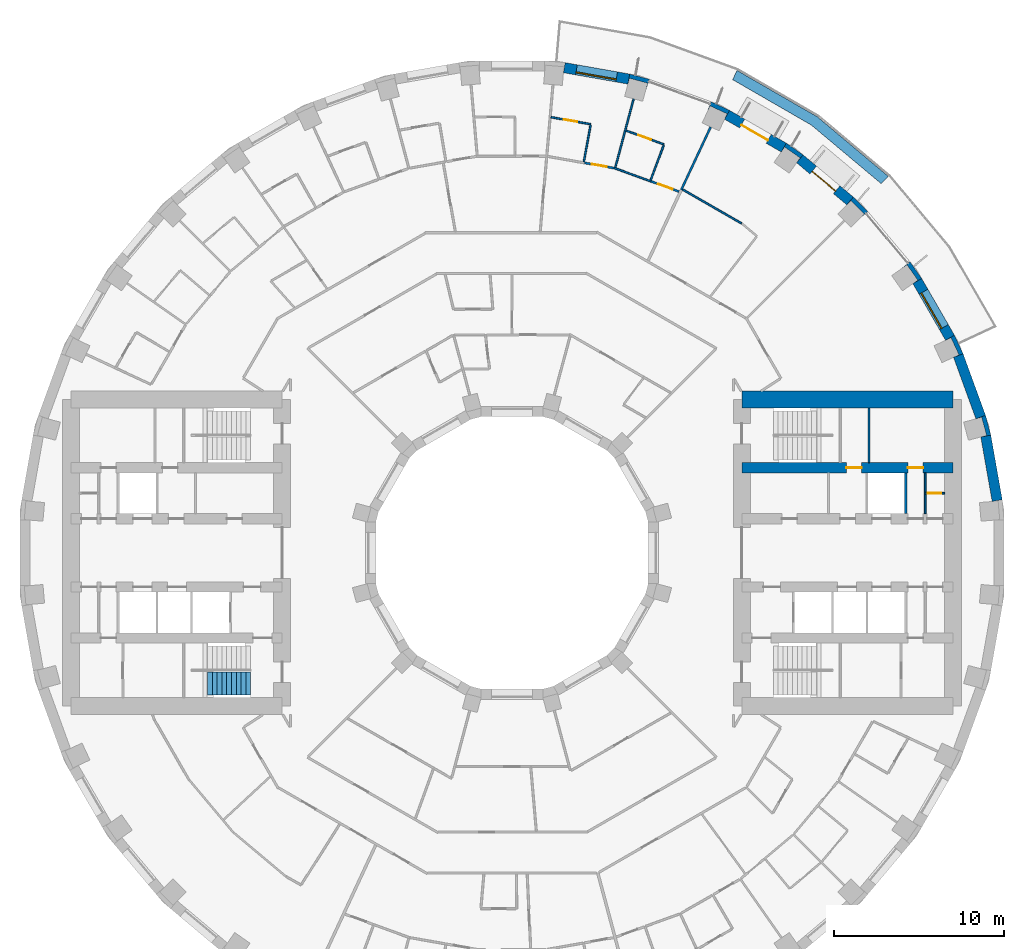
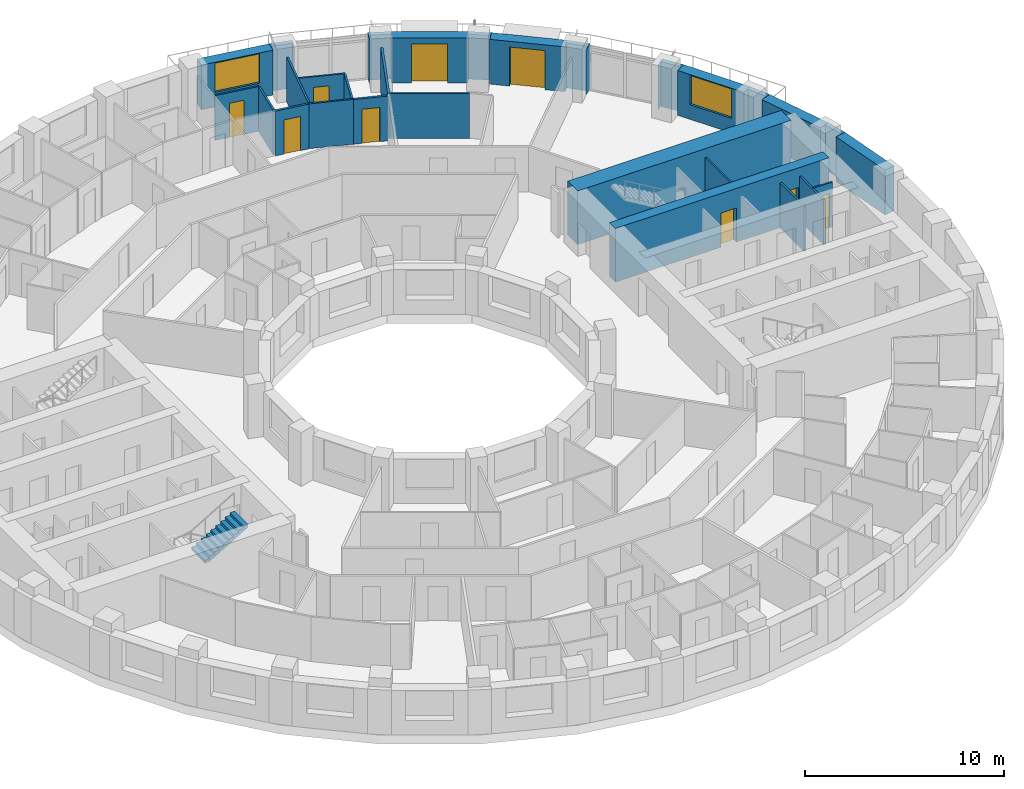
# One storey, part 13 of 15: 30 walls, 9 doors, 2 windows, 1 stair flight, 11 openings, 1 element without a shape of its own.
"""IFC4 building model written with IfcOpenShell, lengths in metres."""

from ifc_helpers import new_model, si_unit, direction, frame, frame_2d, origin, place, context, subcontext, project, spatial, polyline, rectangle, outline, extrude, material, layer, layer_set, type_object, element, fill, aggregate, save


model = new_model("IFC4")

# Units and contexts
model_context = context("Model", 3, precision=1e-05, world=origin(), true_north=direction((0.0, 1.0)))
body_context = subcontext(model_context, "Body", "Model", "MODEL_VIEW")
ifc_project = project(units=[si_unit("LENGTHUNIT", "METRE"), si_unit("AREAUNIT", "SQUARE_METRE"), si_unit("VOLUMEUNIT", "CUBIC_METRE"), si_unit("PLANEANGLEUNIT", "RADIAN"), si_unit("MASSUNIT", "GRAM", prefix="KILO")], contexts=[model_context])

# Site, building, storey
site_placement = place(None, origin())
site = spatial("IfcSite", under=ifc_project, at=site_placement, CompositionType="ELEMENT")
building_placement = place(site_placement, origin())
building = spatial("IfcBuilding", under=site, at=building_placement, Name="Saqina Gate Tower", CompositionType="ELEMENT")
storey_placement = place(building_placement, frame((0.0, 0.0, 65.89990234375)))
storey = spatial("IfcBuildingStorey", under=building, at=storey_placement, Name="L18", CompositionType="ELEMENT", Elevation=65.89990234375)

# Walls
ifc_material_1 = material(Name="Brick masonry (red)", Category="masonry")
wall_type_1 = type_object("IfcWallType", Name="BRICK PIER COPING RED", PredefinedType="SOLIDWALL", material=ifc_material_1)
wall_1_placement = place(storey_placement, origin())
element("IfcWall", 1, at=wall_1_placement, inside=storey, type_object=wall_type_1, Name="Pier cap L18 column 2", PredefinedType="SOLIDWALL", context=body_context, shape_type="SweptSolid", body=[
    extrude(outline(polyline([(28.11669921875, 6.910400390625), (27.80517578125, 8.073974609375), (27.2412109375, 7.86865234375), (27.57958984375, 7.95947265625), (27.864501953125, 6.896728515625), (27.52587890625, 6.80615234375), (28.11669921875, 6.910400390625)])), origin(), (0.0, 0.0, 1.0), 2.75),
])
wall_2_placement = place(storey_placement, origin())
element("IfcWall", 2, at=wall_2_placement, inside=storey, type_object=wall_type_1, Name="Pier cap L18 column 3", PredefinedType="SOLIDWALL", context=body_context, shape_type="SweptSolid", body=[
    extrude(outline(polyline([(25.980712890625, 12.779541015625), (25.4609375, 12.4794921875), (25.778564453125, 12.627685546875), (26.243408203125, 11.630615234375), (25.92578125, 11.482666015625), (26.48974609375, 11.687744140625), (25.980712890625, 12.779541015625)])), origin(), (0.0, 0.0, 1.0), 2.75),
])
wall_3_placement = place(storey_placement, origin())
element("IfcWall", 3, at=wall_3_placement, inside=storey, type_object=wall_type_1, Name="Pier cap L18 column 4", PredefinedType="SOLIDWALL", context=body_context, shape_type="SweptSolid", body=[
    extrude(outline(polyline([(24.0576171875, 16.110107421875), (23.36669921875, 17.096923828125), (22.9072265625, 16.711181640625), (23.194091796875, 16.912109375), (23.8251953125, 16.010986328125), (23.5380859375, 15.81005859375), (24.0576171875, 16.110107421875)])), origin(), (0.0, 0.0, 1.0), 2.75),
])
wall_4_placement = place(storey_placement, origin())
element("IfcWall", 4, at=wall_4_placement, inside=storey, type_object=wall_type_1, Name="Pier cap L18 column 5", PredefinedType="SOLIDWALL", context=body_context, shape_type="SweptSolid", body=[
    extrude(outline(polyline([(20.04296875, 20.894775390625), (19.6572265625, 20.43505859375), (19.905029296875, 20.682861328125), (20.682861328125, 19.905029296875), (20.43505859375, 19.6572265625), (20.894775390625, 20.04296875), (20.04296875, 20.894775390625)])), origin(), (0.0, 0.0, 1.0), 2.75),
])
wall_5_placement = place(storey_placement, origin())
element("IfcWall", 5, at=wall_5_placement, inside=storey, type_object=wall_type_1, Name="Pier cap L18 column 6", PredefinedType="SOLIDWALL", context=body_context, shape_type="SweptSolid", body=[
    extrude(outline(polyline([(17.096923828125, 23.36669921875), (16.110107421875, 24.0576171875), (15.81005859375, 23.5380859375), (16.010986328125, 23.8251953125), (16.912109375, 23.194091796875), (16.711181640625, 22.9072265625), (17.096923828125, 23.36669921875)])), origin(), (0.0, 0.0, 1.0), 2.75),
])
wall_6_placement = place(storey_placement, origin())
element("IfcWall", 6, at=wall_6_placement, inside=storey, type_object=wall_type_1, Name="Pier cap L18 column 7", PredefinedType="SOLIDWALL", context=body_context, shape_type="SweptSolid", body=[
    extrude(outline(polyline([(11.687744140625, 26.48974609375), (11.482666015625, 25.92578125), (11.630615234375, 26.243408203125), (12.627685546875, 25.778564453125), (12.4794921875, 25.4609375), (12.779541015625, 25.980712890625), (11.687744140625, 26.48974609375)])), origin(), (0.0, 0.0, 1.0), 2.75),
])
wall_7_placement = place(storey_placement, origin())
element("IfcWall", 7, at=wall_7_placement, inside=storey, type_object=wall_type_1, Name="Pier cap L18 column 8", PredefinedType="SOLIDWALL", context=body_context, shape_type="SweptSolid", body=[
    extrude(outline(polyline([(6.910400390625, 28.11669921875), (6.80615234375, 27.52587890625), (6.896728515625, 27.864501953125), (7.95947265625, 27.57958984375), (7.86865234375, 27.2412109375), (8.073974609375, 27.80517578125), (6.910400390625, 28.11669921875)])), origin(), (0.0, 0.0, 1.0), 2.75),
])
ifc_material_2 = material(Name="Gypsum board on steel studs", Category="steel")
ifc_layer_1 = layer(ifc_material_2, 0.10009765625)
ifc_layer_set_1 = layer_set([ifc_layer_1], Name="CORE PARTITION")
wall_type_2 = type_object("IfcWallType", Name="CORE PARTITION", PredefinedType="PARTITIONING", material=ifc_layer_set_1)
wall_8_placement = place(storey_placement, frame((24.260009765625, 2.300048828125, 0.0), z_axis=(0.0, 0.0, 1.0), x_axis=(0.0, 1.0, 0.0)))
element("IfcWall", 8, at=wall_8_placement, inside=storey, type_object=wall_type_2, Name="L18-CP-E04", PredefinedType="PARTITIONING", context=body_context, shape_type="SweptSolid", body=[
    extrude(rectangle(XDim=2.39990234375, YDim=0.10009765625, at=frame_2d((1.199951171875, 0.0))), origin(), (0.0, 0.0, 1.0), 2.75),
])

# Wall, opening, door
wall_9_placement = place(storey_placement, frame((24.260009765625, 3.5, 0.0), z_axis=(0.0, 0.0, 1.0), x_axis=(1.0, 0.0, 0.0)))
wall_9 = element("IfcWall", 9, at=wall_9_placement, inside=storey, type_object=wall_type_2, Name="L18-CP-E10", PredefinedType="PARTITIONING", context=body_context, shape_type="SweptSolid", body=[
    extrude(rectangle(XDim=1.139892578125, YDim=0.10009765625, at=frame_2d((0.56982421875, 0.0))), origin(), (0.0, 0.0, 1.0), 2.75),
])
opening_1_placement = place(wall_9_placement, frame((0.14990234375, 0.0, 0.0)))
opening_1 = element("IfcOpeningElement", 10, at=opening_1_placement, cuts=wall_9, Name="Opening G05-D97", PredefinedType="OPENING", context=body_context, shape_type="SweptSolid", body=[
    extrude(rectangle(XDim=0.800048828125, YDim=2.10009765625, at=frame_2d((0.39990234375, 1.050048828125))), frame((0.0, 0.06201171875, 0.0), z_axis=(0.0, -1.0, 0.0), x_axis=(1.0, 0.0, 0.0)), (0.0, 0.0, 1.0), 0.1240234375),
])
ifc_material_3 = material(Name="Steel-framed fire door leaf, EI 60", Category="steel")
door_type_1 = type_object("IfcDoorType", Name="SERVICE ROOM DOOR 800", OperationType="SINGLE_SWING_LEFT", PredefinedType="DOOR", material=ifc_material_3)
door_1_placement = place(opening_1_placement, origin())
door_1 = element("IfcDoor", 11, at=door_1_placement, inside=storey, type_object=door_type_1, Name="L18-CD-E08", OperationType="SINGLE_SWING_RIGHT", OverallHeight=2.10009765625, OverallWidth=0.800048828125, PredefinedType="DOOR", context=body_context, shape_type="SweptSolid", body=[
    extrude(rectangle(XDim=0.800048828125, YDim=2.10009765625, at=frame_2d((0.39990234375, 1.050048828125))), frame((0.0, 0.02490234375, 0.0), z_axis=(0.0, -1.0, 0.0), x_axis=(1.0, 0.0, 0.0)), (0.0, 0.0, 1.0), 0.050048828125),
])
fill(opening_1, door_1)

# Wall
wall_10_placement = place(storey_placement, frame((20.961669921875, 5.300048828125, 0.0), z_axis=(0.0, 0.0, 1.0), x_axis=(0.0, 1.0, 0.0)))
element("IfcWall", 12, at=wall_10_placement, inside=storey, type_object=wall_type_2, Name="L18-CP-E12", PredefinedType="PARTITIONING", context=body_context, shape_type="SweptSolid", body=[
    extrude(rectangle(XDim=3.199951171875, YDim=0.10009765625, at=frame_2d((1.60009765625, 0.0))), origin(), (0.0, 0.0, 1.0), 2.75),
])

# Wall, opening, window
ifc_material_4 = material(Name="Brick masonry (red)", Category="masonry")
ifc_layer_2 = layer(ifc_material_4, 0.60009765625)
ifc_layer_set_2 = layer_set([ifc_layer_2], Name="FW-BRICK-RED")
wall_type_3 = type_object("IfcWallType", Name="FW-BRICK-RED", PredefinedType="SOLIDWALL", material=ifc_layer_set_2)
wall_11_placement = place(storey_placement, frame((25.720703125, 12.629638671875, 0.0), z_axis=(0.0, 0.0, 1.0), x_axis=(-0.499989888488, 0.86603124159, 0.0)))
wall_11 = element("IfcWall", 13, at=wall_11_placement, inside=storey, type_object=wall_type_3, Name="Facade wall L18 facet 3", PredefinedType="SOLIDWALL", context=body_context, shape_type="SweptSolid", body=[
    extrude(rectangle(XDim=3.845703125, YDim=0.60009765625, at=frame_2d((1.9228515625, 0.0))), origin(), (0.0, 0.0, 1.0), 2.75),
])
opening_2_placement = place(wall_11_placement, frame((0.722900390625, 0.0, 0.89990234375)))
opening_2 = element("IfcOpeningElement", 14, at=opening_2_placement, cuts=wall_11, Name="Opening G05-W01", PredefinedType="OPENING", context=body_context, shape_type="SweptSolid", body=[
    extrude(rectangle(XDim=2.39990234375, YDim=1.800048828125, at=frame_2d((1.199951171875, 0.89990234375))), frame((0.0, 0.31201171875, 0.0), z_axis=(0.0, -1.0, 0.0), x_axis=(1.0, 0.0, 0.0)), (0.0, 0.0, 1.0), 0.6240234375),
])
ifc_material_5 = material(Name="Aluminium glazing", Category="aluminium")
window_type = type_object("IfcWindowType", Name="WN-A", PartitioningType="SINGLE_PANEL", PredefinedType="WINDOW", material=ifc_material_5)
window_1_placement = place(opening_2_placement, origin())
window_1 = element("IfcWindow", 15, at=window_1_placement, inside=storey, type_object=window_type, Name="Window L18 facet 3", OverallHeight=1.800048828125, OverallWidth=2.39990234375, PartitioningType="SINGLE_PANEL", PredefinedType="WINDOW", context=body_context, shape_type="SweptSolid", body=[
    extrude(rectangle(XDim=2.39990234375, YDim=1.800048828125, at=frame_2d((1.199951171875, 0.89990234375))), frame((0.0, 0.179931640625, 0.0), z_axis=(0.0, -1.0, 0.0), x_axis=(1.0, 0.0, 0.0)), (0.0, 0.0, 1.0), 0.06005859375),
])
fill(opening_2, window_1)

# Wall, opening, door
wall_12_placement = place(storey_placement, frame((19.85009765625, 20.664794921875, 0.0), z_axis=(0.0, 0.0, 1.0), x_axis=(-0.766026164483, 0.642809392687, 0.0)))
wall_12 = element("IfcWall", 16, at=wall_12_placement, inside=storey, type_object=wall_type_3, Name="Facade wall L18 facet 5", PredefinedType="SOLIDWALL", context=body_context, shape_type="SweptSolid", body=[
    extrude(rectangle(XDim=3.845947265625, YDim=0.60009765625, at=frame_2d((1.9228515625, 0.0))), origin(), (0.0, 0.0, 1.0), 2.75),
])
opening_3_placement = place(wall_12_placement, frame((1.02294921875, 0.0, 0.0)))
opening_3 = element("IfcOpeningElement", 17, at=opening_3_placement, cuts=wall_12, Name="Opening G05-D80", PredefinedType="OPENING", context=body_context, shape_type="SweptSolid", body=[
    extrude(rectangle(XDim=1.800048828125, YDim=2.39990234375, at=frame_2d((0.89990234375, 1.199951171875))), frame((0.0, 0.31201171875, 0.0), z_axis=(0.0, -1.0, 0.0), x_axis=(1.0, 0.0, 0.0)), (0.0, 0.0, 1.0), 0.6240234375),
])
ifc_material_6 = material(Name="Aluminium glazing", Category="aluminium")
door_type_2 = type_object("IfcDoorType", Name="GD-A", OperationType="DOUBLE_DOOR_SINGLE_SWING", PredefinedType="DOOR", material=ifc_material_6)
door_2_placement = place(opening_3_placement, frame((1.800048828125, 0.0, 0.0), z_axis=(0.0, 0.0, 1.0), x_axis=(-1.0, 0.0, 0.0)))
door_2 = element("IfcDoor", 18, at=door_2_placement, inside=storey, type_object=door_type_2, Name="Terrace door L18 facet 5", OperationType="DOUBLE_DOOR_SINGLE_SWING", OverallHeight=2.39990234375, OverallWidth=1.800048828125, PredefinedType="DOOR", context=body_context, shape_type="SweptSolid", body=[
    extrude(rectangle(XDim=1.800048828125, YDim=2.39990234375, at=frame_2d((0.89990234375, 1.199951171875))), frame((0.0, -0.0751953125, 0.0), z_axis=(0.0, -1.0, 0.0), x_axis=(1.0, 0.0, 0.0)), (0.0, 0.0, 1.0), 0.050048828125),
])
fill(opening_3, door_2)

wall_13_placement = place(storey_placement, frame((15.960205078125, 23.7978515625, 0.0), z_axis=(0.0, 0.0, 1.0), x_axis=(-0.86603124159, 0.499989888488, 0.0)))
wall_13 = element("IfcWall", 19, at=wall_13_placement, inside=storey, type_object=wall_type_3, Name="Facade wall L18 facet 6", PredefinedType="SOLIDWALL", context=body_context, shape_type="SweptSolid", body=[
    extrude(rectangle(XDim=3.845703125, YDim=0.60009765625, at=frame_2d((1.9228515625, 0.0))), origin(), (0.0, 0.0, 1.0), 2.75),
])
opening_4_placement = place(wall_13_placement, frame((1.02294921875, 0.0, 0.0)))
opening_4 = element("IfcOpeningElement", 20, at=opening_4_placement, cuts=wall_13, Name="Opening G05-D81", PredefinedType="OPENING", context=body_context, shape_type="SweptSolid", body=[
    extrude(rectangle(XDim=1.800048828125, YDim=2.39990234375, at=frame_2d((0.89990234375, 1.199951171875))), frame((0.0, 0.31201171875, 0.0), z_axis=(0.0, -1.0, 0.0), x_axis=(1.0, 0.0, 0.0)), (0.0, 0.0, 1.0), 0.6240234375),
])
door_3_placement = place(opening_4_placement, frame((1.800048828125, 0.0, 0.0), z_axis=(0.0, 0.0, 1.0), x_axis=(-1.0, 0.0, 0.0)))
door_3 = element("IfcDoor", 21, at=door_3_placement, inside=storey, type_object=door_type_2, Name="Terrace door L18 facet 6", OperationType="DOUBLE_DOOR_SINGLE_SWING", OverallHeight=2.39990234375, OverallWidth=1.800048828125, PredefinedType="DOOR", context=body_context, shape_type="SweptSolid", body=[
    extrude(rectangle(XDim=1.800048828125, YDim=2.39990234375, at=frame_2d((0.89990234375, 1.199951171875))), frame((0.0, -0.0751953125, 0.0), z_axis=(0.0, -1.0, 0.0), x_axis=(1.0, 0.0, 0.0)), (0.0, 0.0, 1.0), 0.050048828125),
])
fill(opening_4, door_3)

# Wall, opening, window
wall_14_placement = place(storey_placement, frame((6.858154296875, 27.8212890625, 0.0), z_axis=(0.0, 0.0, 1.0), x_axis=(-0.984800809218, 0.173687553279, 0.0)))
wall_14 = element("IfcWall", 22, at=wall_14_placement, inside=storey, type_object=wall_type_3, Name="Facade wall L18 facet 8", PredefinedType="SOLIDWALL", context=body_context, shape_type="SweptSolid", body=[
    extrude(rectangle(XDim=3.845703125, YDim=0.60009765625, at=frame_2d((1.9228515625, 0.0))), origin(), (0.0, 0.0, 1.0), 2.75),
])
opening_5_placement = place(wall_14_placement, frame((0.722900390625, 0.0, 0.89990234375)))
opening_5 = element("IfcOpeningElement", 23, at=opening_5_placement, cuts=wall_14, Name="Opening G05-W02", PredefinedType="OPENING", context=body_context, shape_type="SweptSolid", body=[
    extrude(rectangle(XDim=2.39990234375, YDim=1.800048828125, at=frame_2d((1.199951171875, 0.89990234375))), frame((0.0, 0.31201171875, 0.0), z_axis=(0.0, -1.0, 0.0), x_axis=(1.0, 0.0, 0.0)), (0.0, 0.0, 1.0), 0.6240234375),
])
window_2_placement = place(opening_5_placement, origin())
window_2 = element("IfcWindow", 24, at=window_2_placement, inside=storey, type_object=window_type, Name="Window L18 facet 8", OverallHeight=1.800048828125, OverallWidth=2.39990234375, PartitioningType="SINGLE_PANEL", PredefinedType="WINDOW", context=body_context, shape_type="SweptSolid", body=[
    extrude(rectangle(XDim=2.39990234375, YDim=1.800048828125, at=frame_2d((1.199951171875, 0.89990234375))), frame((0.0, 0.179931640625, 0.0), z_axis=(0.0, -1.0, 0.0), x_axis=(1.0, 0.0, 0.0)), (0.0, 0.0, 1.0), 0.06005859375),
])
fill(opening_5, window_2)

# Walls
ifc_material_7 = material(Name="Glazed ceramic tile", Category="ceramic")
ifc_layer_3 = layer(ifc_material_7, 0.60009765625)
ifc_layer_set_3 = layer_set([ifc_layer_3], Name="FW-TILE")
wall_type_4 = type_object("IfcWallType", Name="FW-TILE", PredefinedType="SOLIDWALL", material=ifc_layer_set_3)
wall_15_placement = place(storey_placement, frame((28.4892578125, 3.07080078125, 0.0), z_axis=(0.0, 0.0, 1.0), x_axis=(-0.173687553279, 0.984800809218, 0.0)))
element("IfcWall", 25, at=wall_15_placement, inside=storey, type_object=wall_type_4, Name="Facade wall L18 facet 1", PredefinedType="SOLIDWALL", context=body_context, shape_type="SweptSolid", body=[
    extrude(rectangle(XDim=3.845703125, YDim=0.60009765625, at=frame_2d((1.9228515625, 0.0))), origin(), (0.0, 0.0, 1.0), 2.75),
])
ifc_material_8 = material(Name="Glazed ceramic tile (white)", Category="ceramic")
ifc_layer_4 = layer(ifc_material_8, 0.60009765625)
ifc_layer_set_4 = layer_set([ifc_layer_4], Name="FW-TILE-WH")
wall_type_5 = type_object("IfcWallType", Name="FW-TILE-WH", PredefinedType="SOLIDWALL", material=ifc_layer_set_4)
wall_16_placement = place(storey_placement, frame((27.523193359375, 7.97119140625, 0.0), z_axis=(0.0, 0.0, 1.0), x_axis=(-0.342028474173, 0.939689588564, 0.0)))
element("IfcWall", 26, at=wall_16_placement, inside=storey, type_object=wall_type_5, Name="Facade wall L18 facet 2", PredefinedType="SOLIDWALL", context=body_context, shape_type="SweptSolid", body=[
    extrude(rectangle(XDim=3.845947265625, YDim=0.60009765625, at=frame_2d((1.9228515625, 0.0))), origin(), (0.0, 0.0, 1.0), 2.75),
])
ifc_material_9 = material(Name="Gypsum board on steel studs, 100 mm", Category="steel")
ifc_layer_5 = layer(ifc_material_9, 0.10009765625)
ifc_layer_set_5 = layer_set([ifc_layer_5], Name="PARTITION 100")
wall_type_6 = type_object("IfcWallType", Name="PARTITION 100", PredefinedType="PARTITIONING", material=ifc_layer_set_5)
wall_17_placement = place(storey_placement, frame((10.030029296875, 21.33251953125, 0.0), z_axis=(0.0, 0.0, 1.0), x_axis=(0.866067260862, -0.499927494405, 0.0)))
element("IfcWall", 27, at=wall_17_placement, inside=storey, type_object=wall_type_6, Name="PARTITION PW3-47", PredefinedType="PARTITIONING", context=body_context, shape_type="SweptSolid", body=[
    extrude(rectangle(XDim=3.9853515625, YDim=0.10009765625, at=frame_2d((1.99267578125, 0.0))), origin(), (0.0, 0.0, 1.0), 2.75),
])
wall_18_placement = place(storey_placement, frame((6.003173828125, 22.599365234375, 0.0), z_axis=(0.0, 0.0, 1.0), x_axis=(0.939700645731, -0.341998094165, 0.0)))
element("IfcWall", 28, at=wall_18_placement, inside=storey, type_object=wall_type_6, Name="PARTITION PW3-52", PredefinedType="PARTITIONING", context=body_context, shape_type="SweptSolid", body=[
    extrude(rectangle(XDim=2.3056640625, YDim=0.10009765625, at=frame_2d((1.15283203125, 0.0))), origin(), (0.0, 0.0, 1.0), 2.75),
])

# Wall, opening, door
wall_19_placement = place(storey_placement, frame((6.695068359375, 24.794921875, 0.0), z_axis=(0.0, 0.0, 1.0), x_axis=(0.939643152994, -0.342156024399, 0.0)))
wall_19 = element("IfcWall", 29, at=wall_19_placement, inside=storey, type_object=wall_type_6, Name="PARTITION PW3-53", PredefinedType="PARTITIONING", context=body_context, shape_type="SweptSolid", body=[
    extrude(rectangle(XDim=2.373291015625, YDim=0.10009765625, at=frame_2d((1.1865234375, 0.0))), origin(), (0.0, 0.0, 1.0), 2.75),
])
opening_6_placement = place(wall_19_placement, frame((0.76171875, 0.0, 0.0)))
opening_6 = element("IfcOpeningElement", 30, at=opening_6_placement, cuts=wall_19, Name="Opening G05-D07", PredefinedType="OPENING", context=body_context, shape_type="SweptSolid", body=[
    extrude(rectangle(XDim=0.800048828125, YDim=2.10009765625, at=frame_2d((0.39990234375, 1.050048828125))), frame((0.0, 0.06201171875, 0.0), z_axis=(0.0, -1.0, 0.0), x_axis=(1.0, 0.0, 0.0)), (0.0, 0.0, 1.0), 0.1240234375),
])
ifc_material_10 = material(Name="Timber door leaf, 800 mm", Category="wood")
door_type_3 = type_object("IfcDoorType", Name="DOOR 800 TIMBER", OperationType="SINGLE_SWING_LEFT", PredefinedType="DOOR", material=ifc_material_10)
door_4_placement = place(opening_6_placement, origin())
door_4 = element("IfcDoor", 31, at=door_4_placement, inside=storey, type_object=door_type_3, Name="DOOR G05-D07", OperationType="SINGLE_SWING_LEFT", OverallHeight=2.10009765625, OverallWidth=0.800048828125, PredefinedType="DOOR", context=body_context, shape_type="SweptSolid", body=[
    extrude(rectangle(XDim=0.800048828125, YDim=2.10009765625, at=frame_2d((0.39990234375, 1.050048828125))), frame((0.0, 0.02490234375, 0.0), z_axis=(0.0, -1.0, 0.0), x_axis=(1.0, 0.0, 0.0)), (0.0, 0.0, 1.0), 0.050048828125),
])
fill(opening_6, door_4)

wall_20_placement = place(storey_placement, frame((2.28857421875, 25.581298828125, 0.0), z_axis=(0.0, 0.0, 1.0), x_axis=(0.984780450856, -0.173802944775, 0.0)))
wall_20 = element("IfcWall", 32, at=wall_20_placement, inside=storey, type_object=wall_type_6, Name="PARTITION PW3-57", PredefinedType="PARTITIONING", context=body_context, shape_type="SweptSolid", body=[
    extrude(rectangle(XDim=2.37255859375, YDim=0.10009765625, at=frame_2d((1.186279296875, 0.0))), origin(), (0.0, 0.0, 1.0), 2.75),
])
opening_7_placement = place(wall_20_placement, frame((0.76123046875, 0.0, 0.0)))
opening_7 = element("IfcOpeningElement", 33, at=opening_7_placement, cuts=wall_20, Name="Opening G05-D09", PredefinedType="OPENING", context=body_context, shape_type="SweptSolid", body=[
    extrude(rectangle(XDim=0.800048828125, YDim=2.10009765625, at=frame_2d((0.39990234375, 1.050048828125))), frame((0.0, 0.06201171875, 0.0), z_axis=(0.0, -1.0, 0.0), x_axis=(1.0, 0.0, 0.0)), (0.0, 0.0, 1.0), 0.1240234375),
])
door_5_placement = place(opening_7_placement, origin())
door_5 = element("IfcDoor", 34, at=door_5_placement, inside=storey, type_object=door_type_3, Name="DOOR G05-D09", OperationType="SINGLE_SWING_LEFT", OverallHeight=2.10009765625, OverallWidth=0.800048828125, PredefinedType="DOOR", context=body_context, shape_type="SweptSolid", body=[
    extrude(rectangle(XDim=0.800048828125, YDim=2.10009765625, at=frame_2d((0.39990234375, 1.050048828125))), frame((0.0, 0.02490234375, 0.0), z_axis=(0.0, -1.0, 0.0), x_axis=(1.0, 0.0, 0.0)), (0.0, 0.0, 1.0), 0.050048828125),
])
fill(opening_7, door_5)

# Walls
wall_21_placement = place(storey_placement, frame((8.144775390625, 21.886474609375, 0.0), z_axis=(0.0, 0.0, 1.0), x_axis=(0.348761078078, 0.937211667884, 0.0)))
element("IfcWall", 35, at=wall_21_placement, inside=storey, type_object=wall_type_6, Name="PARTITION PW3-102", PredefinedType="PARTITIONING", context=body_context, shape_type="SweptSolid", body=[
    extrude(rectangle(XDim=2.186767578125, YDim=0.10009765625, at=frame_2d((1.09326171875, 0.0))), origin(), (0.0, 0.0, 1.0), 2.75),
])
wall_22_placement = place(storey_placement, frame((6.067138671875, 22.642333984375, 0.0), z_axis=(0.0, 0.0, 1.0), x_axis=(0.258618430752, 0.965979558415, 0.0)))
element("IfcWall", 36, at=wall_22_placement, inside=storey, type_object=wall_type_6, Name="PARTITION PW3-105", PredefinedType="PARTITIONING", context=body_context, shape_type="SweptSolid", body=[
    extrude(rectangle(XDim=4.14892578125, YDim=0.10009765625, at=frame_2d((2.074462890625, 0.0))), origin(), (0.0, 0.0, 1.0), 2.75),
])
wall_23_placement = place(storey_placement, frame((4.22021484375, 22.968505859375, 0.0), z_axis=(0.0, 0.0, 1.0), x_axis=(0.180918125104, 0.983498160653, 0.0)))
element("IfcWall", 37, at=wall_23_placement, inside=storey, type_object=wall_type_6, Name="PARTITION PW3-108", PredefinedType="PARTITIONING", context=body_context, shape_type="SweptSolid", body=[
    extrude(rectangle(XDim=2.1875, YDim=0.10009765625, at=frame_2d((1.09375, 0.0))), origin(), (0.0, 0.0, 1.0), 2.75),
])

# Wall, opening, door
ifc_material_11 = material(Name="Gypsum board on steel studs, 125 mm, fire rated", Category="steel")
ifc_layer_6 = layer(ifc_material_11, 0.125)
ifc_layer_set_6 = layer_set([ifc_layer_6], Name="PARTITION EI 30 125")
wall_type_7 = type_object("IfcWallType", Name="PARTITION EI 30 125", PredefinedType="PARTITIONING", material=ifc_layer_set_6)
wall_24_placement = place(storey_placement, frame((8.169921875, 21.810791015625, 0.0), z_axis=(0.0, 0.0, 1.0), x_axis=(0.939621739114, -0.342214826366, 0.0)))
wall_24 = element("IfcWall", 38, at=wall_24_placement, inside=storey, type_object=wall_type_7, Name="PARTITION PW1-17", PredefinedType="PARTITIONING", context=body_context, shape_type="SweptSolid", body=[
    extrude(rectangle(XDim=1.7451171875, YDim=0.125, at=frame_2d((0.87255859375, 0.0))), origin(), (0.0, 0.0, 1.0), 2.75),
])
opening_8_placement = place(wall_24_placement, frame((0.43505859375, 0.0, 0.0)))
opening_8 = element("IfcOpeningElement", 39, at=opening_8_placement, cuts=wall_24, Name="Opening G05-D06", PredefinedType="OPENING", context=body_context, shape_type="SweptSolid", body=[
    extrude(rectangle(XDim=0.89990234375, YDim=2.10009765625, at=frame_2d((0.449951171875, 1.050048828125))), frame((0.0, 0.074462890625, 0.0), z_axis=(0.0, -1.0, 0.0), x_axis=(1.0, 0.0, 0.0)), (0.0, 0.0, 1.0), 0.14892578125),
])
ifc_material_12 = material(Name="Fire door leaf EI 30, 900 mm")
door_type_4 = type_object("IfcDoorType", Name="DOOR 900 EI 30", OperationType="SINGLE_SWING_LEFT", PredefinedType="DOOR", material=ifc_material_12)
door_6_placement = place(opening_8_placement, frame((0.89990234375, 0.0, 0.0), z_axis=(0.0, 0.0, 1.0), x_axis=(-1.0, 0.0, 0.0)))
door_6 = element("IfcDoor", 40, at=door_6_placement, inside=storey, type_object=door_type_4, Name="DOOR G05-D06", OperationType="SINGLE_SWING_LEFT", OverallHeight=2.10009765625, OverallWidth=0.89990234375, PredefinedType="DOOR", context=body_context, shape_type="SweptSolid", body=[
    extrude(rectangle(XDim=0.89990234375, YDim=2.10009765625, at=frame_2d((0.449951171875, 1.050048828125))), frame((0.0, 0.02490234375, 0.0), z_axis=(0.0, -1.0, 0.0), x_axis=(1.0, 0.0, 0.0)), (0.0, 0.0, 1.0), 0.050048828125),
])
fill(opening_8, door_6)

wall_25_placement = place(storey_placement, frame((4.25830078125, 22.898193359375, 0.0), z_axis=(0.0, 0.0, 1.0), x_axis=(0.984787723486, -0.173761732473, 0.0)))
wall_25 = element("IfcWall", 41, at=wall_25_placement, inside=storey, type_object=wall_type_7, Name="PARTITION PW1-19", PredefinedType="PARTITIONING", context=body_context, shape_type="SweptSolid", body=[
    extrude(rectangle(XDim=1.770263671875, YDim=0.125, at=frame_2d((0.88525390625, 0.0))), origin(), (0.0, 0.0, 1.0), 2.75),
])
opening_9_placement = place(wall_25_placement, frame((0.435302734375, 0.0, 0.0)))
opening_9 = element("IfcOpeningElement", 42, at=opening_9_placement, cuts=wall_25, Name="Opening G05-D08", PredefinedType="OPENING", context=body_context, shape_type="SweptSolid", body=[
    extrude(rectangle(XDim=0.89990234375, YDim=2.10009765625, at=frame_2d((0.449951171875, 1.050048828125))), frame((0.0, 0.074462890625, 0.0), z_axis=(0.0, -1.0, 0.0), x_axis=(1.0, 0.0, 0.0)), (0.0, 0.0, 1.0), 0.14892578125),
])
door_7_placement = place(opening_9_placement, frame((0.89990234375, 0.0, 0.0), z_axis=(0.0, 0.0, 1.0), x_axis=(-1.0, 0.0, 0.0)))
door_7 = element("IfcDoor", 43, at=door_7_placement, inside=storey, type_object=door_type_4, Name="DOOR G05-D08", OperationType="SINGLE_SWING_LEFT", OverallHeight=2.10009765625, OverallWidth=0.89990234375, PredefinedType="DOOR", context=body_context, shape_type="SweptSolid", body=[
    extrude(rectangle(XDim=0.89990234375, YDim=2.10009765625, at=frame_2d((0.449951171875, 1.050048828125))), frame((0.0, 0.02490234375, 0.0), z_axis=(0.0, -1.0, 0.0), x_axis=(1.0, 0.0, 0.0)), (0.0, 0.0, 1.0), 0.050048828125),
])
fill(opening_9, door_7)

# Walls
wall_26_placement = place(storey_placement, frame((9.9384765625, 21.313232421875, 0.0), z_axis=(0.0, 0.0, 1.0), x_axis=(0.42349236443, 0.90589967285, 0.0)))
element("IfcWall", 44, at=wall_26_placement, inside=storey, type_object=wall_type_7, Name="PARTITION PW1-52", PredefinedType="PARTITIONING", context=body_context, shape_type="SweptSolid", body=[
    extrude(rectangle(XDim=4.073486328125, YDim=0.125, at=frame_2d((2.03662109375, 0.0))), origin(), (0.0, 0.0, 1.0), 2.75),
])
ifc_material_13 = material(Name="Brick masonry (red)", Category="masonry")
ifc_layer_7 = layer(ifc_material_13, 0.60009765625)
ifc_layer_set_7 = layer_set([ifc_layer_7], Name="PL-PLANTER")
wall_type_8 = type_object("IfcWallType", Name="PL-PLANTER", PredefinedType="PARAPET", material=ifc_layer_set_7)
wall_27_placement = place(storey_placement, origin())
element("IfcWall", 45, at=wall_27_placement, inside=storey, type_object=wall_type_8, Name="Planter L18", PredefinedType="PARAPET", context=body_context, shape_type="SweptSolid", body=[
    extrude(outline(polyline([(22.103271484375, 22.103271484375), (17.92919921875, 25.60546875), (13.21044921875, 28.329833984375), (12.955810546875, 27.783935546875), (17.583740234375, 25.1123046875), (21.67724609375, 21.67724609375), (22.103271484375, 22.103271484375)])), origin(), (0.0, 0.0, 1.0), 0.5),
])
ifc_material_14 = material(Name="Autoclaved aerated concrete block", Category="concrete")
ifc_layer_8 = layer(ifc_material_14, 0.1201171875)
ifc_layer_set_8 = layer_set([ifc_layer_8], Name="SHAFT PARTITION")
wall_type_9 = type_object("IfcWallType", Name="SHAFT PARTITION", PredefinedType="PARTITIONING", material=ifc_layer_set_8)
wall_28_placement = place(storey_placement, frame((23.1201171875, 2.300048828125, 0.0), z_axis=(0.0, 0.0, 1.0), x_axis=(0.0, 1.0, 0.0)))
element("IfcWall", 46, at=wall_28_placement, inside=storey, type_object=wall_type_9, Name="L18-CP-E03", PredefinedType="PARTITIONING", context=body_context, shape_type="SweptSolid", body=[
    extrude(rectangle(XDim=2.39990234375, YDim=0.1201171875, at=frame_2d((1.199951171875, 0.0))), origin(), (0.0, 0.0, 1.0), 2.75),
])

# Wall, openings, doors
ifc_material_15 = material(Name="Concrete C70/85", Category="concrete")
ifc_layer_9 = layer(ifc_material_15, 0.60009765625)
ifc_layer_set_9 = layer_set([ifc_layer_9], Name="Concrete C70/85")
wall_type_10 = type_object("IfcWallType", Name="STR-CORE WALL-A-I", PredefinedType="SHEAR", material=ifc_layer_set_9)
wall_29_placement = place(storey_placement, frame((13.5, 5.0, 0.0), z_axis=(0.0, 0.0, 1.0), x_axis=(1.0, 0.0, 0.0)))
wall_29 = element("IfcWall", 47, at=wall_29_placement, inside=storey, type_object=wall_type_10, Name="CORE WALL L18 E-X1", PredefinedType="SHEAR", context=body_context, shape_type="SweptSolid", body=[
    extrude(rectangle(XDim=12.39990234375, YDim=0.60009765625, at=frame_2d((6.199951171875, 0.0))), origin(), (0.0, 0.0, 1.0), 3.300048828125),
])
opening_10_placement = place(wall_29_placement, frame((6.1298828125, 0.0, 0.0)))
opening_10 = element("IfcOpeningElement", 48, at=opening_10_placement, cuts=wall_29, Name="Opening G05-D98", PredefinedType="OPENING", context=body_context, shape_type="SweptSolid", body=[
    extrude(rectangle(XDim=0.89990234375, YDim=2.10009765625, at=frame_2d((0.449951171875, 1.050048828125))), frame((0.0, 0.31201171875, 0.0), z_axis=(0.0, -1.0, 0.0), x_axis=(1.0, 0.0, 0.0)), (0.0, 0.0, 1.0), 0.6240234375),
])
opening_11_placement = place(wall_29_placement, frame((9.739990234375, 0.0, 0.0)))
opening_11 = element("IfcOpeningElement", 49, at=opening_11_placement, cuts=wall_29, Name="Opening G05-D99", PredefinedType="OPENING", context=body_context, shape_type="SweptSolid", body=[
    extrude(rectangle(XDim=0.89990234375, YDim=2.10009765625, at=frame_2d((0.449951171875, 1.050048828125))), frame((0.0, 0.31201171875, 0.0), z_axis=(0.0, -1.0, 0.0), x_axis=(1.0, 0.0, 0.0)), (0.0, 0.0, 1.0), 0.6240234375),
])
ifc_material_16 = material(Name="Steel-framed fire door leaf, EI 60", Category="steel")
door_type_5 = type_object("IfcDoorType", Name="SERVICE ROOM DOOR 900", OperationType="SINGLE_SWING_LEFT", PredefinedType="DOOR", material=ifc_material_16)
door_8_placement = place(opening_10_placement, frame((0.89990234375, 0.0, 0.0), z_axis=(0.0, 0.0, 1.0), x_axis=(-1.0, 0.0, 0.0)))
door_8 = element("IfcDoor", 50, at=door_8_placement, inside=storey, type_object=door_type_5, Name="L18-CD-E09", OperationType="SINGLE_SWING_LEFT", OverallHeight=2.10009765625, OverallWidth=0.89990234375, PredefinedType="DOOR", context=body_context, shape_type="SweptSolid", body=[
    extrude(rectangle(XDim=0.89990234375, YDim=2.10009765625, at=frame_2d((0.449951171875, 1.050048828125))), frame((0.0, 0.02490234375, 0.0), z_axis=(0.0, -1.0, 0.0), x_axis=(1.0, 0.0, 0.0)), (0.0, 0.0, 1.0), 0.050048828125),
])
fill(opening_10, door_8)
door_9_placement = place(opening_11_placement, origin())
door_9 = element("IfcDoor", 51, at=door_9_placement, inside=storey, type_object=door_type_5, Name="L18-CD-E10", OperationType="SINGLE_SWING_RIGHT", OverallHeight=2.10009765625, OverallWidth=0.89990234375, PredefinedType="DOOR", context=body_context, shape_type="SweptSolid", body=[
    extrude(rectangle(XDim=0.89990234375, YDim=2.10009765625, at=frame_2d((0.449951171875, 1.050048828125))), frame((0.0, 0.02490234375, 0.0), z_axis=(0.0, -1.0, 0.0), x_axis=(1.0, 0.0, 0.0)), (0.0, 0.0, 1.0), 0.050048828125),
])
fill(opening_11, door_9)

# Wall
ifc_material_17 = material(Name="Concrete C70/85", Category="concrete")
ifc_layer_10 = layer(ifc_material_17, 1.0)
ifc_layer_set_10 = layer_set([ifc_layer_10], Name="Concrete C70/85")
wall_type_11 = type_object("IfcWallType", Name="STR-CORE WALL-A-O", PredefinedType="SHEAR", material=ifc_layer_set_10)
wall_30_placement = place(storey_placement, frame((13.5, 9.0, 0.0), z_axis=(0.0, 0.0, 1.0), x_axis=(1.0, 0.0, 0.0)))
element("IfcWall", 52, at=wall_30_placement, inside=storey, type_object=wall_type_11, Name="CORE WALL L18 E-NE", PredefinedType="SHEAR", context=body_context, shape_type="SweptSolid", body=[
    extrude(rectangle(XDim=12.39990234375, YDim=1.0, at=frame_2d((6.199951171875, 0.0))), origin(), (0.0, 0.0, 1.0), 3.300048828125),
])

# Stair, stair flight
ifc_material_18 = material(Name="Concrete C40/50", Category="concrete")
stair_type = type_object("IfcStairType", Name="EXIT STAIR", PredefinedType="HALF_TURN_STAIR", material=ifc_material_18)
stair_placement = place(storey_placement, origin())
stair = element("IfcStair", 53, at=stair_placement, inside=storey, type_object=stair_type, Name="EXIT STAIR 4", PredefinedType="HALF_TURN_STAIR")
ifc_material_19 = material(Name="Concrete C40/50", Category="concrete")
stair_flight_type = type_object("IfcStairFlightType", Name="EXIT STAIR FLIGHT", PredefinedType="STRAIGHT", material=ifc_material_19)
stair_flight_placement = place(storey_placement, frame((-17.8701171875, -7.658447265625, 1.650146484375), z_axis=(0.0, 0.0, 1.0), x_axis=(1.0, 0.0, 0.0)))
stair_flight = element("IfcStairFlight", 54, at=stair_flight_placement, type_object=stair_flight_type, Name="EXIT STAIR 4 FLIGHT 2", NumberOfRisers=10, NumberOfTreads=9, PredefinedType="STRAIGHT", RiserHeight=0.165, TreadLength=0.28, context=body_context, shape_type="SweptSolid", body=[
    extrude(outline(polyline([(0.0, 0.0), (0.0, 0.1650390625), (0.280029296875, 0.1650390625), (0.280029296875, 0.330078125), (0.56005859375, 0.330078125), (0.56005859375, 0.4951171875), (0.840087890625, 0.4951171875), (0.840087890625, 0.659912109375), (1.1201171875, 0.659912109375), (1.1201171875, 0.824951171875), (1.39990234375, 0.824951171875), (1.39990234375, 0.989990234375), (1.679931640625, 0.989990234375), (1.679931640625, 1.155029296875), (1.9599609375, 1.155029296875), (1.9599609375, 1.320068359375), (2.239990234375, 1.320068359375), (2.239990234375, 1.485107421875), (2.52001953125, 1.485107421875), (2.52001953125, 1.64990234375), (2.52001953125, 1.31103515625), (0.295166015625, 0.0), (0.0, 0.0)])), frame((0.0, 0.675048828125, 0.0), z_axis=(0.0, -1.0, 0.0), x_axis=(1.0, 0.0, 0.0)), (0.0, 0.0, 1.0), 1.35009765625),
])
aggregate(stair, [stair_flight])

save(model, "model.ifc")
